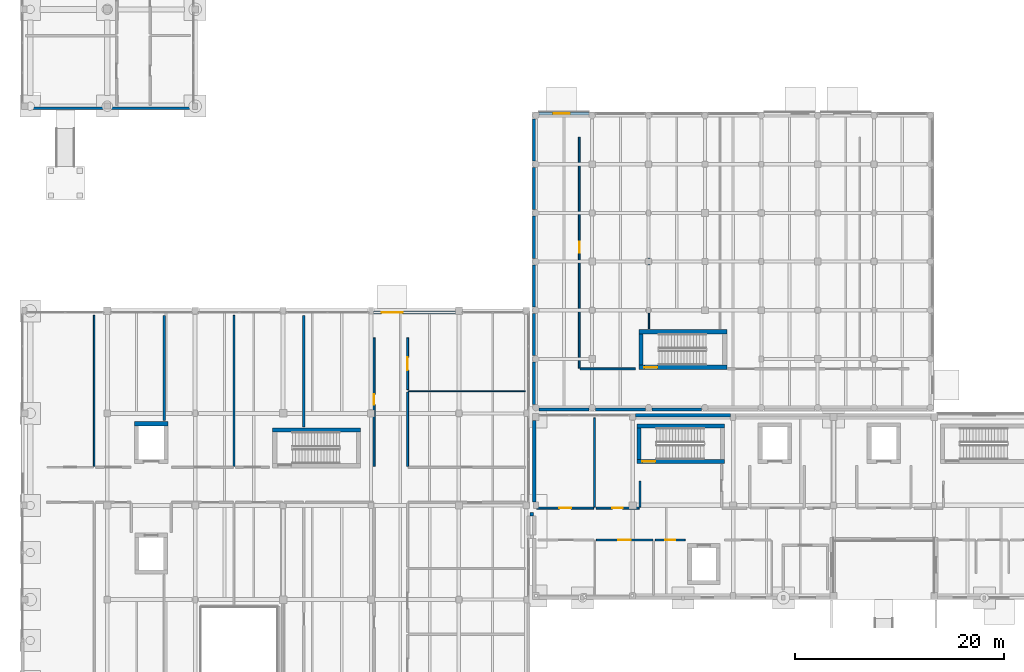
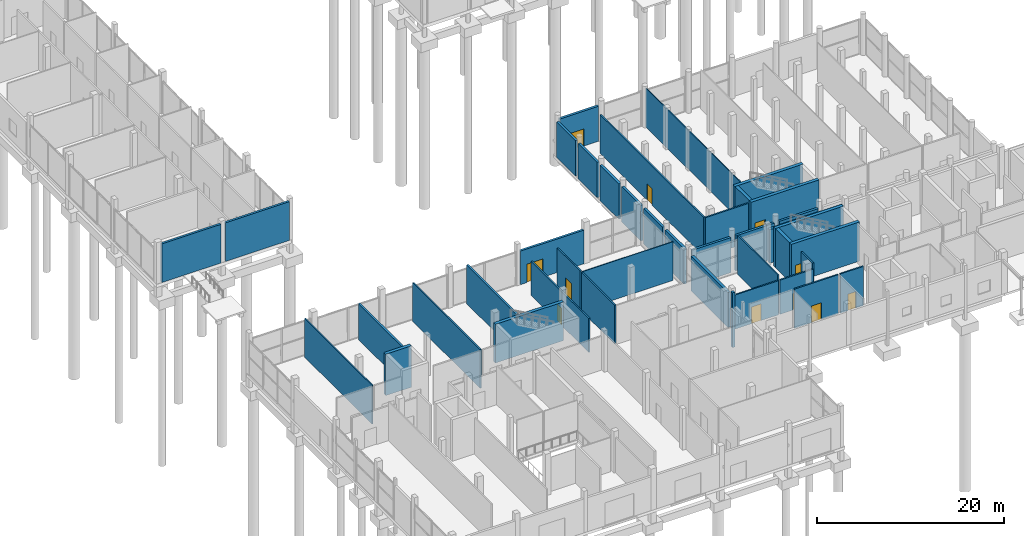
# One storey, part 58 of 88: 41 walls, 11 doors, 11 openings.
"""IFC4 building model written with IfcOpenShell, lengths in metres."""

from ifc_helpers import new_model, si_unit, direction, frame, frame_2d, origin, place, context, subcontext, project, spatial, rectangle, extrude, material, layer, layer_set, type_object, element, fill, save


model = new_model("IFC4")

# Units and contexts
model_context = context("Model", 3, precision=1e-05, world=origin(), true_north=direction((0.0, 1.0)))
body_context = subcontext(model_context, "Body", "Model", "MODEL_VIEW")
ifc_project = project(units=[si_unit("LENGTHUNIT", "METRE"), si_unit("AREAUNIT", "SQUARE_METRE"), si_unit("VOLUMEUNIT", "CUBIC_METRE"), si_unit("PLANEANGLEUNIT", "RADIAN"), si_unit("MASSUNIT", "GRAM", prefix="KILO")], contexts=[model_context])

# Site, building, storey
site_placement = place(None, origin())
site = spatial("IfcSite", under=ifc_project, at=site_placement, CompositionType="ELEMENT")
building_placement = place(site_placement, origin())
building = spatial("IfcBuilding", under=site, at=building_placement, Name="Birchvale Park Specialist Clinic", CompositionType="ELEMENT")
storey_placement = place(building_placement, origin())
storey = spatial("IfcBuildingStorey", under=building, at=storey_placement, Name="L00", CompositionType="ELEMENT", Elevation=0.0)

# Wall, opening, door
ifc_material_1 = material(Name="Concrete C40/50", Category="concrete")
ifc_layer_1 = layer(ifc_material_1, 0.39990234375)
ifc_layer_set_1 = layer_set([ifc_layer_1], Name="Concrete C40/50")
wall_type_1 = type_object("IfcWallType", Name="WL-CW-120", PredefinedType="SHEAR", material=ifc_layer_set_1)
wall_1_placement = place(storey_placement, frame((62.0, 39.0, 0.0), z_axis=(0.0, 0.0, 1.0), x_axis=(1.0, 0.0, 0.0)))
wall_1 = element("IfcWall", 1, at=wall_1_placement, inside=storey, type_object=wall_type_1, Name="L00 stair ST1 EI 120 enclosure wall (south)", PredefinedType="SHEAR", context=body_context, shape_type="SweptSolid", body=[
    extrude(rectangle(XDim=8.39990234375, YDim=0.39990234375, at=frame_2d((4.199951171875, 0.0))), origin(), (0.0, 0.0, 1.0), 5.080078125),
])
opening_1_placement = place(wall_1_placement, frame((0.52001953125, 0.0, 0.0)))
opening_1 = element("IfcOpeningElement", 2, at=opening_1_placement, cuts=wall_1, Name="Opening ID-FD60", PredefinedType="OPENING", context=body_context, shape_type="SweptSolid", body=[
    extrude(rectangle(XDim=1.25, YDim=2.199951171875, at=frame_2d((0.625, 1.10009765625))), frame((0.0, 0.2099609375, 0.0), z_axis=(0.0, -1.0, 0.0), x_axis=(1.0, 0.0, 0.0)), (0.0, 0.0, 1.0), 0.419921875),
])
ifc_material_2 = material(Name="Solid-core birch veneer and anodised aluminium", Category="aluminium")
door_type_1 = type_object("IfcDoorType", Name="DR-ID-FD60", OperationType="NOTDEFINED", PredefinedType="DOOR", material=ifc_material_2)
door_1_placement = place(opening_1_placement, origin())
door_1 = element("IfcDoor", 3, at=door_1_placement, inside=storey, type_object=door_type_1, Name="L00 stair ST1 fire door", OperationType="SINGLE_SWING_LEFT", OverallHeight=2.199951171875, OverallWidth=1.25, PredefinedType="DOOR", context=body_context, shape_type="SweptSolid", body=[
    extrude(rectangle(XDim=1.25, YDim=2.199951171875, at=frame_2d((0.625, 1.10009765625))), frame((0.0, 0.02490234375, 0.0), z_axis=(0.0, -1.0, 0.0), x_axis=(1.0, 0.0, 0.0)), (0.0, 0.0, 1.0), 0.050048828125),
])
fill(opening_1, door_1)

# Walls
wall_2_placement = place(storey_placement, frame((70.39990234375, 42.39990234375, 0.0), z_axis=(0.0, 0.0, 1.0), x_axis=(-1.0, 0.0, 0.0)))
element("IfcWall", 4, at=wall_2_placement, inside=storey, type_object=wall_type_1, Name="L00 stair ST1 EI 120 enclosure wall (north)", PredefinedType="SHEAR", context=body_context, shape_type="SweptSolid", body=[
    extrude(rectangle(XDim=8.39990234375, YDim=0.39990234375, at=frame_2d((4.199951171875, 0.0))), origin(), (0.0, 0.0, 1.0), 5.080078125),
])
wall_3_placement = place(storey_placement, frame((62.199951171875, 39.199951171875, 0.0), z_axis=(0.0, 0.0, 1.0), x_axis=(0.0, 1.0, 0.0)))
element("IfcWall", 5, at=wall_3_placement, inside=storey, type_object=wall_type_1, Name="L00 stair ST1 EI 120 enclosure wall (west)", PredefinedType="SHEAR", context=body_context, shape_type="SweptSolid", body=[
    extrude(rectangle(XDim=3.0, YDim=0.39990234375, at=frame_2d((1.5, 0.0))), origin(), (0.0, 0.0, 1.0), 5.080078125),
])
wall_4_placement = place(storey_placement, frame((35.39990234375, 33.0, 0.0), z_axis=(0.0, 0.0, 1.0), x_axis=(-1.0, 0.0, 0.0)))
element("IfcWall", 6, at=wall_4_placement, inside=storey, type_object=wall_type_1, Name="L00 stair ST2 EI 120 enclosure wall (north)", PredefinedType="SHEAR", context=body_context, shape_type="SweptSolid", body=[
    extrude(rectangle(XDim=8.39990234375, YDim=0.39990234375, at=frame_2d((4.199951171875, 0.0))), origin(), (0.0, 0.0, 1.0), 5.050048828125),
])

# Wall, opening, door
wall_5_placement = place(storey_placement, frame((61.800048828125, 30.0, 0.0), z_axis=(0.0, 0.0, 1.0), x_axis=(1.0, 0.0, 0.0)))
wall_5 = element("IfcWall", 7, at=wall_5_placement, inside=storey, type_object=wall_type_1, Name="L00 stair ST4 EI 120 enclosure wall (south)", PredefinedType="SHEAR", context=body_context, shape_type="SweptSolid", body=[
    extrude(rectangle(XDim=8.39990234375, YDim=0.39990234375, at=frame_2d((4.199951171875, 0.0))), origin(), (0.0, 0.0, 1.0), 5.1201171875),
])
opening_2_placement = place(wall_5_placement, frame((0.52001953125, 0.0, 0.0)))
opening_2 = element("IfcOpeningElement", 8, at=opening_2_placement, cuts=wall_5, Name="Opening ID-FD60", PredefinedType="OPENING", context=body_context, shape_type="SweptSolid", body=[
    extrude(rectangle(XDim=1.25, YDim=2.199951171875, at=frame_2d((0.625, 1.10009765625))), frame((0.0, 0.2099609375, 0.0), z_axis=(0.0, -1.0, 0.0), x_axis=(1.0, 0.0, 0.0)), (0.0, 0.0, 1.0), 0.419921875),
])
door_2_placement = place(opening_2_placement, origin())
door_2 = element("IfcDoor", 9, at=door_2_placement, inside=storey, type_object=door_type_1, Name="L00 stair ST4 fire door", OperationType="SINGLE_SWING_LEFT", OverallHeight=2.199951171875, OverallWidth=1.25, PredefinedType="DOOR", context=body_context, shape_type="SweptSolid", body=[
    extrude(rectangle(XDim=1.25, YDim=2.199951171875, at=frame_2d((0.625, 1.10009765625))), frame((0.0, 0.02490234375, 0.0), z_axis=(0.0, -1.0, 0.0), x_axis=(1.0, 0.0, 0.0)), (0.0, 0.0, 1.0), 0.050048828125),
])
fill(opening_2, door_2)

# Walls
wall_6_placement = place(storey_placement, frame((70.199951171875, 33.39990234375, 0.0), z_axis=(0.0, 0.0, 1.0), x_axis=(-1.0, 0.0, 0.0)))
element("IfcWall", 10, at=wall_6_placement, inside=storey, type_object=wall_type_1, Name="L00 stair ST4 EI 120 enclosure wall (north)", PredefinedType="SHEAR", context=body_context, shape_type="SweptSolid", body=[
    extrude(rectangle(XDim=8.39990234375, YDim=0.39990234375, at=frame_2d((4.199951171875, 0.0))), origin(), (0.0, 0.0, 1.0), 5.1201171875),
])
wall_7_placement = place(storey_placement, frame((62.0, 30.199951171875, 0.0), z_axis=(0.0, 0.0, 1.0), x_axis=(0.0, 1.0, 0.0)))
element("IfcWall", 11, at=wall_7_placement, inside=storey, type_object=wall_type_1, Name="L00 stair ST4 EI 120 enclosure wall (west)", PredefinedType="SHEAR", context=body_context, shape_type="SweptSolid", body=[
    extrude(rectangle(XDim=3.0, YDim=0.39990234375, at=frame_2d((1.5, 0.0))), origin(), (0.0, 0.0, 1.0), 5.1201171875),
])
wall_8_placement = place(storey_placement, frame((17.0, 33.60009765625, 0.0), z_axis=(0.0, 0.0, 1.0), x_axis=(-1.0, 0.0, 0.0)))
element("IfcWall", 12, at=wall_8_placement, inside=storey, type_object=wall_type_1, Name="L00 lift LS1 shaft wall (north)", PredefinedType="SHEAR", context=body_context, shape_type="SweptSolid", body=[
    extrude(rectangle(XDim=3.199951171875, YDim=0.39990234375, at=frame_2d((1.60009765625, 0.0))), origin(), (0.0, 0.0, 1.0), 5.39990234375),
])
ifc_material_3 = material(Name="Lime-white mineral-rendered insulated masonry", Category="masonry")
ifc_layer_2 = layer(ifc_material_3, 0.340087890625)
ifc_layer_set_2 = layer_set([ifc_layer_2], Name="Lime-white mineral-rendered insulated masonry")
wall_type_2 = type_object("IfcWallType", Name="WL-EW-01", PredefinedType="STANDARD", material=ifc_layer_set_2)
wall_9_placement = place(storey_placement, frame((70.77001953125, 34.409912109375, 0.0), z_axis=(0.0, 0.0, 1.0), x_axis=(-1.0, 0.0, 0.0)))
element("IfcWall", 13, at=wall_9_placement, inside=storey, type_object=wall_type_2, Name="V4 L00 exterior facade wall 85", PredefinedType="STANDARD", context=body_context, shape_type="SweptSolid", body=[
    extrude(rectangle(XDim=9.0849609375, YDim=0.340087890625, at=frame_2d((4.54248046875, 0.0))), origin(), (0.0, 0.0, 1.0), 4.385009765625),
])
wall_10_placement = place(storey_placement, frame((51.989990234375, 33.93994140625, 0.0), z_axis=(0.0, 0.0, 1.0), x_axis=(0.0, -1.0, 0.0)))
element("IfcWall", 14, at=wall_10_placement, inside=storey, type_object=wall_type_2, Name="V4 L00 exterior facade wall 86", PredefinedType="STANDARD", context=body_context, shape_type="SweptSolid", body=[
    extrude(rectangle(XDim=7.829833984375, YDim=0.340087890625, at=frame_2d((3.9150390625, 0.0))), origin(), (0.0, 0.0, 1.0), 4.56494140625),
])
ifc_layer_3 = layer(ifc_material_3, 0.2900390625)
ifc_layer_set_3 = layer_set([ifc_layer_3], Name="Lime-white mineral-rendered insulated masonry")
wall_type_3 = type_object("IfcWallType", Name="WL-EW-03", PredefinedType="STANDARD", material=ifc_layer_set_3)
for number, where, z_axis, x_axis, name in (
    (15, (52.455078125, 34.965087890625, 0.0), (0.0, 0.0, 1.0), (1.0, 0.0, 0.0), "V1 L00 exterior facade wall 17"),
    (16, (57.8408203125, 34.965087890625, 0.0), (0.0, 0.0, 1.0), (1.0, 0.0, 0.0), "V1 L00 exterior facade wall 18"),
):
    element("IfcWall", number, at=place(storey_placement, frame(where, z_axis=z_axis, x_axis=x_axis)), inside=storey, type_object=wall_type_3, Name=name, PredefinedType="STANDARD", context=body_context, shape_type="SweptSolid", body=[
        extrude(rectangle(XDim=4.775634765625, YDim=0.2900390625, at=frame_2d((2.3876953125, 0.0))), origin(), (0.0, 0.0, 1.0), 4.574951171875),
    ])
wall_11_placement = place(storey_placement, frame((63.226318359375, 34.965087890625, 0.0), z_axis=(0.0, 0.0, 1.0), x_axis=(1.0, 0.0, 0.0)))
element("IfcWall", 17, at=wall_11_placement, inside=storey, type_object=wall_type_3, Name="V1 L00 exterior facade wall 19", PredefinedType="STANDARD", context=body_context, shape_type="SweptSolid", body=[
    extrude(rectangle(XDim=4.77587890625, YDim=0.2900390625, at=frame_2d((2.387939453125, 0.0))), origin(), (0.0, 0.0, 1.0), 4.574951171875),
])

# Wall, opening, door
wall_12_placement = place(storey_placement, frame((57.230712890625, 63.235107421875, 0.0), z_axis=(0.0, 0.0, 1.0), x_axis=(-1.0, 0.0, 0.0)))
wall_12 = element("IfcWall", 18, at=wall_12_placement, inside=storey, type_object=wall_type_3, Name="V1 L00 exterior facade wall 27", PredefinedType="STANDARD", context=body_context, shape_type="SweptSolid", body=[
    extrude(rectangle(XDim=4.775634765625, YDim=0.2900390625, at=frame_2d((2.3876953125, 0.0))), origin(), (0.0, 0.0, 1.0), 4.574951171875),
])
opening_3_placement = place(wall_12_placement, frame((1.830810546875, 0.0, 0.0)))
opening_3 = element("IfcOpeningElement", 19, at=opening_3_placement, cuts=wall_12, Name="Opening ED-04", PredefinedType="OPENING", context=body_context, shape_type="SweptSolid", body=[
    extrude(rectangle(XDim=1.60009765625, YDim=2.25, at=frame_2d((0.800048828125, 1.125))), frame((0.0, 0.155029296875, 0.0), z_axis=(0.0, -1.0, 0.0), x_axis=(1.0, 0.0, 0.0)), (0.0, 0.0, 1.0), 0.31005859375),
])
ifc_material_4 = material(Name="Powder-coated aluminium and laminated safety glass", Category="aluminium")
door_type_2 = type_object("IfcDoorType", Name="DR-ED-04", OperationType="DOUBLE_DOOR_SINGLE_SWING", PredefinedType="DOOR", material=ifc_material_4)
door_3_placement = place(opening_3_placement, frame((1.60009765625, 0.0, 0.0), z_axis=(0.0, 0.0, 1.0), x_axis=(-1.0, 0.0, 0.0)))
door_3 = element("IfcDoor", 20, at=door_3_placement, inside=storey, type_object=door_type_2, Name="L00 V1 final exit double door 4", OperationType="DOUBLE_DOOR_SINGLE_SWING", OverallHeight=2.25, OverallWidth=1.60009765625, PredefinedType="DOOR", context=body_context, shape_type="SweptSolid", body=[
    extrude(rectangle(XDim=1.60009765625, YDim=2.25, at=frame_2d((0.800048828125, 1.125))), frame((0.0, 0.02490234375, 0.0), z_axis=(0.0, -1.0, 0.0), x_axis=(1.0, 0.0, 0.0)), (0.0, 0.0, 1.0), 0.050048828125),
])
fill(opening_3, door_3)

# Walls
for number, where, z_axis, x_axis, name in (
    (21, (51.965087890625, 62.7451171875, 0.0), (0.0, 0.0, 1.0), (0.0, -1.0, 0.0), "V1 L00 exterior facade wall 28"),
    (22, (51.965087890625, 58.094970703125, 0.0), (0.0, 0.0, 1.0), (0.0, -1.0, 0.0), "V1 L00 exterior facade wall 29"),
    (23, (51.965087890625, 53.445068359375, 0.0), (0.0, 0.0, 1.0), (0.0, -1.0, 0.0), "V1 L00 exterior facade wall 30"),
    (24, (51.965087890625, 48.794921875, 0.0), (0.0, 0.0, 1.0), (0.0, -1.0, 0.0), "V1 L00 exterior facade wall 31"),
    (25, (51.965087890625, 44.14501953125, 0.0), (0.0, 0.0, 1.0), (0.0, -1.0, 0.0), "V1 L00 exterior facade wall 32"),
    (26, (51.965087890625, 39.4951171875, 0.0), (0.0, 0.0, 1.0), (0.0, -1.0, 0.0), "V1 L00 exterior facade wall 33"),
):
    element("IfcWall", number, at=place(storey_placement, frame(where, z_axis=z_axis, x_axis=x_axis)), inside=storey, type_object=wall_type_3, Name=name, PredefinedType="STANDARD", context=body_context, shape_type="SweptSolid", body=[
        extrude(rectangle(XDim=4.0400390625, YDim=0.2900390625, at=frame_2d((2.02001953125, 0.0))), origin(), (0.0, 0.0, 1.0), 4.625),
    ])

# Wall, opening, door
ifc_layer_4 = layer(ifc_material_3, 0.27001953125)
ifc_layer_set_4 = layer_set([ifc_layer_4], Name="Lime-white mineral-rendered insulated masonry")
wall_type_4 = type_object("IfcWallType", Name="WL-EW-04", PredefinedType="STANDARD", material=ifc_layer_set_4)
wall_13_placement = place(storey_placement, frame((44.455078125, 44.2451171875, 0.0), z_axis=(0.0, 0.0, 1.0), x_axis=(-1.0, 0.0, 0.0)))
wall_13 = element("IfcWall", 27, at=wall_13_placement, inside=storey, type_object=wall_type_4, Name="V2 L00 exterior facade wall 42", PredefinedType="STANDARD", context=body_context, shape_type="SweptSolid", body=[
    extrude(rectangle(XDim=7.8349609375, YDim=0.27001953125, at=frame_2d((3.91748046875, 0.0))), origin(), (0.0, 0.0, 1.0), 4.385009765625),
])
opening_4_placement = place(wall_13_placement, frame((5.044921875, 0.0, 0.0)))
opening_4 = element("IfcOpeningElement", 28, at=opening_4_placement, cuts=wall_13, Name="Opening ED-02", PredefinedType="OPENING", context=body_context, shape_type="SweptSolid", body=[
    extrude(rectangle(XDim=2.0, YDim=2.39990234375, at=frame_2d((1.0, 1.199951171875))), frame((0.0, 0.14501953125, 0.0), z_axis=(0.0, -1.0, 0.0), x_axis=(1.0, 0.0, 0.0)), (0.0, 0.0, 1.0), 0.2900390625),
])
door_type_3 = type_object("IfcDoorType", Name="DR-ED-02", OperationType="DOUBLE_DOOR_SINGLE_SWING", PredefinedType="DOOR", material=ifc_material_4)
door_4_placement = place(opening_4_placement, frame((2.0, 0.0, 0.0), z_axis=(0.0, 0.0, 1.0), x_axis=(-1.0, 0.0, 0.0)))
door_4 = element("IfcDoor", 29, at=door_4_placement, inside=storey, type_object=door_type_3, Name="L00 V2 final exit double door 11", OperationType="DOUBLE_DOOR_SINGLE_SWING", OverallHeight=2.39990234375, OverallWidth=2.0, PredefinedType="DOOR", context=body_context, shape_type="SweptSolid", body=[
    extrude(rectangle(XDim=2.0, YDim=2.39990234375, at=frame_2d((1.0, 1.199951171875))), frame((0.0, 0.02490234375, 0.0), z_axis=(0.0, -1.0, 0.0), x_axis=(1.0, 0.0, 0.0)), (0.0, 0.0, 1.0), 0.050048828125),
])
fill(opening_4, door_4)

# Walls
wall_14_placement = place(storey_placement, frame((3.610107421875, 63.7548828125, 0.0), z_axis=(0.0, 0.0, 1.0), x_axis=(1.0, 0.0, 0.0)))
element("IfcWall", 30, at=wall_14_placement, inside=storey, type_object=wall_type_4, Name="V2 L00 exterior facade wall 45", PredefinedType="STANDARD", context=body_context, shape_type="SweptSolid", body=[
    extrude(rectangle(XDim=7.304931640625, YDim=0.27001953125, at=frame_2d((3.65234375, 0.0))), origin(), (0.0, 0.0, 1.0), 5.050048828125),
])
wall_15_placement = place(storey_placement, frame((11.485107421875, 63.7548828125, 0.0), z_axis=(0.0, 0.0, 1.0), x_axis=(1.0, 0.0, 0.0)))
element("IfcWall", 31, at=wall_15_placement, inside=storey, type_object=wall_type_4, Name="V2 L00 exterior facade wall 46", PredefinedType="STANDARD", context=body_context, shape_type="SweptSolid", body=[
    extrude(rectangle(XDim=7.885009765625, YDim=0.27001953125, at=frame_2d((3.9423828125, 0.0))), origin(), (0.0, 0.0, 1.0), 5.050048828125),
])
ifc_material_5 = material(Name="Acoustic gypsum board on metal framing")
ifc_layer_5 = layer(ifc_material_5, 0.1650390625)
ifc_layer_set_5 = layer_set([ifc_layer_5], Name="Acoustic gypsum board on metal framing")
wall_type_5 = type_object("IfcWallType", Name="WL-IW-01", PredefinedType="PARTITIONING", material=ifc_layer_set_5)
wall_16_placement = place(storey_placement, frame((23.303955078125, 43.9599609375, 0.0), z_axis=(0.0, 0.0, 1.0), x_axis=(0.0, -1.0, 0.0)))
element("IfcWall", 32, at=wall_16_placement, inside=storey, type_object=wall_type_5, Name="V2 L00 clinical partition 110", PredefinedType="PARTITIONING", context=body_context, shape_type="SweptSolid", body=[
    extrude(rectangle(XDim=14.429931640625, YDim=0.1650390625, at=frame_2d((7.21484375, 0.0))), origin(), (0.0, 0.0, 1.0), 5.050048828125),
])
ifc_layer_6 = layer(ifc_material_5, 0.14990234375)
ifc_layer_set_6 = layer_set([ifc_layer_6], Name="Acoustic gypsum board on metal framing")
wall_type_6 = type_object("IfcWallType", Name="WL-IW-02", PredefinedType="PARTITIONING", material=ifc_layer_set_6)
wall_17_placement = place(storey_placement, frame((57.751953125, 34.159912109375, 0.0), z_axis=(0.0, 0.0, 1.0), x_axis=(0.0, -1.0, 0.0)))
element("IfcWall", 33, at=wall_17_placement, inside=storey, type_object=wall_type_6, Name="V4 L00 clinical partition 193", PredefinedType="PARTITIONING", context=body_context, shape_type="SweptSolid", body=[
    extrude(rectangle(XDim=8.530029296875, YDim=0.14990234375, at=frame_2d((4.26513671875, 0.0))), origin(), (0.0, 0.0, 1.0), 5.1201171875),
])
ifc_layer_7 = layer(ifc_material_5, 0.139892578125)
ifc_layer_set_7 = layer_set([ifc_layer_7], Name="Acoustic gypsum board on metal framing")
wall_type_7 = type_object("IfcWallType", Name="WL-IW-03", PredefinedType="PARTITIONING", material=ifc_layer_set_7)
wall_18_placement = place(storey_placement, frame((9.947998046875, 43.9599609375, 0.0), z_axis=(0.0, 0.0, 1.0), x_axis=(0.0, -1.0, 0.0)))
element("IfcWall", 34, at=wall_18_placement, inside=storey, type_object=wall_type_7, Name="V2 L00 clinical partition 106", PredefinedType="PARTITIONING", context=body_context, shape_type="SweptSolid", body=[
    extrude(rectangle(XDim=14.429931640625, YDim=0.139892578125, at=frame_2d((7.21484375, 0.0))), origin(), (0.0, 0.0, 1.0), 5.050048828125),
])
ifc_layer_8 = layer(ifc_material_5, 0.114990234375)
ifc_layer_set_8 = layer_set([ifc_layer_8], Name="Acoustic gypsum board on metal framing")
wall_type_8 = type_object("IfcWallType", Name="WL-IW-05", PredefinedType="PARTITIONING", material=ifc_layer_set_8)
wall_19_placement = place(storey_placement, frame((62.968017578125, 62.9599609375, 0.0), z_axis=(0.0, 0.0, 1.0), x_axis=(0.0, -1.0, 0.0)))
element("IfcWall", 35, at=wall_19_placement, inside=storey, type_object=wall_type_8, Name="V1 L00 clinical partition 70", PredefinedType="PARTITIONING", context=body_context, shape_type="SweptSolid", body=[
    extrude(rectangle(XDim=20.260009765625, YDim=0.114990234375, at=frame_2d((10.1298828125, 0.0))), origin(), (0.0, 0.0, 1.0), 5.080078125),
])
ifc_layer_9 = layer(ifc_material_5, 0.10009765625)
ifc_layer_set_9 = layer_set([ifc_layer_9], Name="Acoustic gypsum board on metal framing")
wall_type_9 = type_object("IfcWallType", Name="WL-IW-06", PredefinedType="PARTITIONING", material=ifc_layer_set_9)
wall_20_placement = place(storey_placement, frame((39.97998046875, 36.705078125, 0.0), z_axis=(0.0, 0.0, 1.0), x_axis=(1.0, 0.0, 0.0)))
element("IfcWall", 36, at=wall_20_placement, inside=storey, type_object=wall_type_9, Name="V2 L00 clinical partition 115", PredefinedType="PARTITIONING", context=body_context, shape_type="SweptSolid", body=[
    extrude(rectangle(XDim=11.179931640625, YDim=0.10009765625, at=frame_2d((5.58984375, 0.0))), origin(), (0.0, 0.0, 1.0), 5.050048828125),
])
ifc_layer_10 = layer(ifc_material_5, 0.239990234375)
ifc_layer_set_10 = layer_set([ifc_layer_10], Name="Acoustic gypsum board on metal framing")
wall_type_10 = type_object("IfcWallType", Name="WL-IW-08", PredefinedType="PARTITIONING", material=ifc_layer_set_10)
wall_21_placement = place(storey_placement, frame((16.6259765625, 43.9599609375, 0.0), z_axis=(0.0, 0.0, 1.0), x_axis=(0.0, -1.0, 0.0)))
element("IfcWall", 37, at=wall_21_placement, inside=storey, type_object=wall_type_10, Name="V2 L00 clinical partition 108", PredefinedType="PARTITIONING", context=body_context, shape_type="SweptSolid", body=[
    extrude(rectangle(XDim=10.06005859375, YDim=0.239990234375, at=frame_2d((5.030029296875, 0.0))), origin(), (0.0, 0.0, 1.0), 4.68408203125),
])
wall_22_placement = place(storey_placement, frame((29.98193359375, 43.9599609375, 0.0), z_axis=(0.0, 0.0, 1.0), x_axis=(0.0, -1.0, 0.0)))
element("IfcWall", 38, at=wall_22_placement, inside=storey, type_object=wall_type_10, Name="V2 L00 clinical partition 112", PredefinedType="PARTITIONING", context=body_context, shape_type="SweptSolid", body=[
    extrude(rectangle(XDim=10.659912109375, YDim=0.239990234375, at=frame_2d((5.330078125, 0.0))), origin(), (0.0, 0.0, 1.0), 5.050048828125),
])
ifc_layer_11 = layer(ifc_material_5, 0.179931640625)
ifc_layer_set_11 = layer_set([ifc_layer_11], Name="Acoustic gypsum board on metal framing")
wall_type_11 = type_object("IfcWallType", Name="WL-IW-60", PredefinedType="PARTITIONING", material=ifc_layer_set_11)
wall_23_placement = place(storey_placement, frame((61.6650390625, 38.85009765625, 0.0), z_axis=(0.0, 0.0, 1.0), x_axis=(-1.0, 0.0, 0.0)))
element("IfcWall", 39, at=wall_23_placement, inside=storey, type_object=wall_type_11, Name="V1 L00 clinical partition 68", PredefinedType="PARTITIONING", context=body_context, shape_type="SweptSolid", body=[
    extrude(rectangle(XDim=5.28515625, YDim=0.179931640625, at=frame_2d((2.642578125, 0.0))), origin(), (0.0, 0.0, 1.0), 5.080078125),
])

# Wall, opening, door
wall_24_placement = place(storey_placement, frame((56.300048828125, 38.929931640625, 0.0), z_axis=(0.0, 0.0, 1.0), x_axis=(0.0, 1.0, 0.0)))
wall_24 = element("IfcWall", 40, at=wall_24_placement, inside=storey, type_object=wall_type_11, Name="V1 L00 clinical partition 69", PredefinedType="PARTITIONING", context=body_context, shape_type="SweptSolid", body=[
    extrude(rectangle(XDim=22.074951171875, YDim=0.179931640625, at=frame_2d((11.03759765625, 0.0))), origin(), (0.0, 0.0, 1.0), 5.080078125),
])
opening_5_placement = place(wall_24_placement, frame((11.017578125, 0.0, 0.0)))
opening_5 = element("IfcOpeningElement", 41, at=opening_5_placement, cuts=wall_24, Name="Opening ID-02", PredefinedType="OPENING", context=body_context, shape_type="SweptSolid", body=[
    extrude(rectangle(XDim=1.0400390625, YDim=2.14990234375, at=frame_2d((0.52001953125, 1.074951171875))), frame((0.0, 0.10009765625, 0.0), z_axis=(0.0, -1.0, 0.0), x_axis=(1.0, 0.0, 0.0)), (0.0, 0.0, 1.0), 0.199951171875),
])
door_type_4 = type_object("IfcDoorType", Name="DR-ID-02", OperationType="NOTDEFINED", PredefinedType="DOOR", material=ifc_material_2)
door_5_placement = place(opening_5_placement, origin())
door_5 = element("IfcDoor", 42, at=door_5_placement, inside=storey, type_object=door_type_4, Name="L00 Daylight Physical Rehabilitation Studio door", OperationType="SINGLE_SWING_LEFT", OverallHeight=2.14990234375, OverallWidth=1.0400390625, PredefinedType="DOOR", context=body_context, shape_type="SweptSolid", body=[
    extrude(rectangle(XDim=1.0400390625, YDim=2.14990234375, at=frame_2d((0.52001953125, 1.074951171875))), frame((0.0, 0.02490234375, 0.0), z_axis=(0.0, -1.0, 0.0), x_axis=(1.0, 0.0, 0.0)), (0.0, 0.0, 1.0), 0.050048828125),
])
fill(opening_5, door_5)

wall_25_placement = place(storey_placement, frame((36.699951171875, 41.81494140625, 0.0), z_axis=(0.0, 0.0, 1.0), x_axis=(0.0, -1.0, 0.0)))
wall_25 = element("IfcWall", 43, at=wall_25_placement, inside=storey, type_object=wall_type_11, Name="V2 L00 clinical partition 113", PredefinedType="PARTITIONING", context=body_context, shape_type="SweptSolid", body=[
    extrude(rectangle(XDim=12.284912109375, YDim=0.179931640625, at=frame_2d((6.142578125, 0.0))), origin(), (0.0, 0.0, 1.0), 4.43505859375),
])
opening_6_placement = place(wall_25_placement, frame((5.37255859375, 0.0, 0.0)))
opening_6 = element("IfcOpeningElement", 44, at=opening_6_placement, cuts=wall_25, Name="Opening ID-02", PredefinedType="OPENING", context=body_context, shape_type="SweptSolid", body=[
    extrude(rectangle(XDim=1.0400390625, YDim=2.14990234375, at=frame_2d((0.52001953125, 1.074951171875))), frame((0.0, 0.10009765625, 0.0), z_axis=(0.0, -1.0, 0.0), x_axis=(1.0, 0.0, 0.0)), (0.0, 0.0, 1.0), 0.199951171875),
])
door_6_placement = place(opening_6_placement, origin())
door_6 = element("IfcDoor", 45, at=door_6_placement, inside=storey, type_object=door_type_4, Name="L00 Ultrasound Diagnostic Suite door", OperationType="SINGLE_SWING_LEFT", OverallHeight=2.14990234375, OverallWidth=1.0400390625, PredefinedType="DOOR", context=body_context, shape_type="SweptSolid", body=[
    extrude(rectangle(XDim=1.0400390625, YDim=2.14990234375, at=frame_2d((0.52001953125, 1.074951171875))), frame((0.0, 0.02490234375, 0.0), z_axis=(0.0, -1.0, 0.0), x_axis=(1.0, 0.0, 0.0)), (0.0, 0.0, 1.0), 0.050048828125),
])
fill(opening_6, door_6)

# Wall
wall_26_placement = place(storey_placement, frame((39.89990234375, 29.530029296875, 0.0), z_axis=(0.0, 0.0, 1.0), x_axis=(0.0, 1.0, 0.0)))
element("IfcWall", 46, at=wall_26_placement, inside=storey, type_object=wall_type_11, Name="V2 L00 clinical partition 114", PredefinedType="PARTITIONING", context=body_context, shape_type="SweptSolid", body=[
    extrude(rectangle(XDim=7.094970703125, YDim=0.179931640625, at=frame_2d((3.54736328125, 0.0))), origin(), (0.0, 0.0, 1.0), 5.050048828125),
])

# Wall, opening, door
wall_27_placement = place(storey_placement, frame((39.89990234375, 36.864990234375, 0.0), z_axis=(0.0, 0.0, 1.0), x_axis=(0.0, 1.0, 0.0)))
wall_27 = element("IfcWall", 47, at=wall_27_placement, inside=storey, type_object=wall_type_11, Name="V2 L00 clinical partition 117", PredefinedType="PARTITIONING", context=body_context, shape_type="SweptSolid", body=[
    extrude(rectangle(XDim=4.949951171875, YDim=0.179931640625, at=frame_2d((2.47509765625, 0.0))), origin(), (0.0, 0.0, 1.0), 5.050048828125),
])
opening_7_placement = place(wall_27_placement, frame((1.8349609375, 0.0, 0.0)))
opening_7 = element("IfcOpeningElement", 48, at=opening_7_placement, cuts=wall_27, Name="Opening ID-05", PredefinedType="OPENING", context=body_context, shape_type="SweptSolid", body=[
    extrude(rectangle(XDim=1.280029296875, YDim=2.25, at=frame_2d((0.64013671875, 1.125))), frame((0.0, 0.10009765625, 0.0), z_axis=(0.0, -1.0, 0.0), x_axis=(1.0, 0.0, 0.0)), (0.0, 0.0, 1.0), 0.199951171875),
])
door_type_5 = type_object("IfcDoorType", Name="DR-ID-05", OperationType="NOTDEFINED", PredefinedType="DOOR", material=ifc_material_2)
door_7_placement = place(opening_7_placement, origin())
door_7 = element("IfcDoor", 49, at=door_7_placement, inside=storey, type_object=door_type_5, Name="L00 Outpatient Waiting Lounge door", OperationType="SINGLE_SWING_LEFT", OverallHeight=2.25, OverallWidth=1.280029296875, PredefinedType="DOOR", context=body_context, shape_type="SweptSolid", body=[
    extrude(rectangle(XDim=1.280029296875, YDim=2.25, at=frame_2d((0.64013671875, 1.125))), frame((0.0, 0.02490234375, 0.0), z_axis=(0.0, -1.0, 0.0), x_axis=(1.0, 0.0, 0.0)), (0.0, 0.0, 1.0), 0.050048828125),
])
fill(opening_7, door_7)

wall_28_placement = place(storey_placement, frame((57.924072265625, 22.5, 0.0), z_axis=(0.0, 0.0, 1.0), x_axis=(1.0, 0.0, 0.0)))
wall_28 = element("IfcWall", 50, at=wall_28_placement, inside=storey, type_object=wall_type_11, Name="V4 L00 clinical partition 176", PredefinedType="PARTITIONING", context=body_context, shape_type="SweptSolid", body=[
    extrude(rectangle(XDim=5.40380859375, YDim=0.179931640625, at=frame_2d((2.701904296875, 0.0))), origin(), (0.0, 0.0, 1.0), 5.1201171875),
])
opening_8_placement = place(wall_28_placement, frame((2.112060546875, 0.0, 0.0)))
opening_8 = element("IfcOpeningElement", 51, at=opening_8_placement, cuts=wall_28, Name="Opening ID-ST60", PredefinedType="OPENING", context=body_context, shape_type="SweptSolid", body=[
    extrude(rectangle(XDim=1.179931640625, YDim=2.179931640625, at=frame_2d((0.58984375, 1.08984375))), frame((0.0, 0.10009765625, 0.0), z_axis=(0.0, -1.0, 0.0), x_axis=(1.0, 0.0, 0.0)), (0.0, 0.0, 1.0), 0.199951171875),
])
door_type_6 = type_object("IfcDoorType", Name="DR-ID-ST60", OperationType="NOTDEFINED", PredefinedType="DOOR", material=ifc_material_2)
door_8_placement = place(opening_8_placement, origin())
door_8 = element("IfcDoor", 52, at=door_8_placement, inside=storey, type_object=door_type_6, Name="L00 Outpatient Waiting Lounge door", OperationType="SINGLE_SWING_LEFT", OverallHeight=2.179931640625, OverallWidth=1.179931640625, PredefinedType="DOOR", context=body_context, shape_type="SweptSolid", body=[
    extrude(rectangle(XDim=1.179931640625, YDim=2.179931640625, at=frame_2d((0.58984375, 1.08984375))), frame((0.0, 0.02490234375, 0.0), z_axis=(0.0, -1.0, 0.0), x_axis=(1.0, 0.0, 0.0)), (0.0, 0.0, 1.0), 0.050048828125),
])
fill(opening_8, door_8)

wall_29_placement = place(storey_placement, frame((63.568115234375, 22.5, 0.0), z_axis=(0.0, 0.0, 1.0), x_axis=(1.0, 0.0, 0.0)))
wall_29 = element("IfcWall", 53, at=wall_29_placement, inside=storey, type_object=wall_type_11, Name="V4 L00 clinical partition 178", PredefinedType="PARTITIONING", context=body_context, shape_type="SweptSolid", body=[
    extrude(rectangle(XDim=2.851806640625, YDim=0.179931640625, at=frame_2d((1.42578125, 0.0))), origin(), (0.0, 0.0, 1.0), 5.1201171875),
])
opening_9_placement = place(wall_29_placement, frame((0.926025390625, 0.0, 0.0)))
opening_9 = element("IfcOpeningElement", 54, at=opening_9_placement, cuts=wall_29, Name="Opening ID-01", PredefinedType="OPENING", context=body_context, shape_type="SweptSolid", body=[
    extrude(rectangle(XDim=1.0, YDim=2.14990234375, at=frame_2d((0.5, 1.074951171875))), frame((0.0, 0.10009765625, 0.0), z_axis=(0.0, -1.0, 0.0), x_axis=(1.0, 0.0, 0.0)), (0.0, 0.0, 1.0), 0.199951171875),
])
door_type_7 = type_object("IfcDoorType", Name="DR-ID-01", OperationType="NOTDEFINED", PredefinedType="DOOR", material=ifc_material_2)
door_9_placement = place(opening_9_placement, origin())
door_9 = element("IfcDoor", 55, at=door_9_placement, inside=storey, type_object=door_type_7, Name="L00 Oncology Consultation Suite door", OperationType="SINGLE_SWING_RIGHT", OverallHeight=2.14990234375, OverallWidth=1.0, PredefinedType="DOOR", context=body_context, shape_type="SweptSolid", body=[
    extrude(rectangle(XDim=1.0, YDim=2.14990234375, at=frame_2d((0.5, 1.074951171875))), frame((0.0, 0.02490234375, 0.0), z_axis=(0.0, -1.0, 0.0), x_axis=(1.0, 0.0, 0.0)), (0.0, 0.0, 1.0), 0.050048828125),
])
fill(opening_9, door_9)

wall_30_placement = place(storey_placement, frame((57.672119140625, 25.550048828125, 0.0), z_axis=(0.0, 0.0, 1.0), x_axis=(-1.0, 0.0, 0.0)))
wall_30 = element("IfcWall", 56, at=wall_30_placement, inside=storey, type_object=wall_type_11, Name="V4 L00 clinical partition 192", PredefinedType="PARTITIONING", context=body_context, shape_type="SweptSolid", body=[
    extrude(rectangle(XDim=5.43212890625, YDim=0.179931640625, at=frame_2d((2.716064453125, 0.0))), origin(), (0.0, 0.0, 1.0), 4.455078125),
])
opening_10_placement = place(wall_30_placement, frame((2.1259765625, 0.0, 0.0)))
opening_10 = element("IfcOpeningElement", 57, at=opening_10_placement, cuts=wall_30, Name="Opening ID-ST60", PredefinedType="OPENING", context=body_context, shape_type="SweptSolid", body=[
    extrude(rectangle(XDim=1.179931640625, YDim=2.179931640625, at=frame_2d((0.58984375, 1.08984375))), frame((0.0, 0.10009765625, 0.0), z_axis=(0.0, -1.0, 0.0), x_axis=(1.0, 0.0, 0.0)), (0.0, 0.0, 1.0), 0.199951171875),
])
door_10_placement = place(opening_10_placement, origin())
door_10 = element("IfcDoor", 58, at=door_10_placement, inside=storey, type_object=door_type_6, Name="L00 Patient Reception Concourse door", OperationType="SINGLE_SWING_RIGHT", OverallHeight=2.179931640625, OverallWidth=1.179931640625, PredefinedType="DOOR", context=body_context, shape_type="SweptSolid", body=[
    extrude(rectangle(XDim=1.179931640625, YDim=2.179931640625, at=frame_2d((0.58984375, 1.08984375))), frame((0.0, 0.02490234375, 0.0), z_axis=(0.0, -1.0, 0.0), x_axis=(1.0, 0.0, 0.0)), (0.0, 0.0, 1.0), 0.050048828125),
])
fill(opening_10, door_10)

# Wall
wall_31_placement = place(storey_placement, frame((62.10009765625, 28.1201171875, 0.0), z_axis=(0.0, 0.0, 1.0), x_axis=(0.0, -1.0, 0.0)))
element("IfcWall", 59, at=wall_31_placement, inside=storey, type_object=wall_type_11, Name="V4 L00 clinical partition 194", PredefinedType="PARTITIONING", context=body_context, shape_type="SweptSolid", body=[
    extrude(rectangle(XDim=2.490234375, YDim=0.179931640625, at=frame_2d((1.2451171875, 0.0))), origin(), (0.0, 0.0, 1.0), 5.1201171875),
])

# Wall, opening, door
wall_32_placement = place(storey_placement, frame((62.02001953125, 25.550048828125, 0.0), z_axis=(0.0, 0.0, 1.0), x_axis=(-1.0, 0.0, 0.0)))
wall_32 = element("IfcWall", 60, at=wall_32_placement, inside=storey, type_object=wall_type_11, Name="V4 L00 clinical partition 195", PredefinedType="PARTITIONING", context=body_context, shape_type="SweptSolid", body=[
    extrude(rectangle(XDim=4.10791015625, YDim=0.179931640625, at=frame_2d((2.053955078125, 0.0))), origin(), (0.0, 0.0, 1.0), 4.455078125),
])
opening_11_placement = place(wall_32_placement, frame((1.553955078125, 0.0, 0.0)))
opening_11 = element("IfcOpeningElement", 61, at=opening_11_placement, cuts=wall_32, Name="Opening ID-01", PredefinedType="OPENING", context=body_context, shape_type="SweptSolid", body=[
    extrude(rectangle(XDim=1.0, YDim=2.14990234375, at=frame_2d((0.5, 1.074951171875))), frame((0.0, 0.10009765625, 0.0), z_axis=(0.0, -1.0, 0.0), x_axis=(1.0, 0.0, 0.0)), (0.0, 0.0, 1.0), 0.199951171875),
])
door_11_placement = place(opening_11_placement, origin())
door_11 = element("IfcDoor", 62, at=door_11_placement, inside=storey, type_object=door_type_7, Name="L00 Outpatient Waiting Lounge door", OperationType="SINGLE_SWING_LEFT", OverallHeight=2.14990234375, OverallWidth=1.0, PredefinedType="DOOR", context=body_context, shape_type="SweptSolid", body=[
    extrude(rectangle(XDim=1.0, YDim=2.14990234375, at=frame_2d((0.5, 1.074951171875))), frame((0.0, 0.02490234375, 0.0), z_axis=(0.0, -1.0, 0.0), x_axis=(1.0, 0.0, 0.0)), (0.0, 0.0, 1.0), 0.050048828125),
])
fill(opening_11, door_11)

# Wall
ifc_layer_12 = layer(ifc_material_1, 0.35009765625)
ifc_layer_set_12 = layer_set([ifc_layer_12], Name="Concrete C40/50")
wall_type_12 = type_object("IfcWallType", Name="WL-SW-350", PredefinedType="SHEAR", material=ifc_layer_set_12)
wall_33_placement = place(storey_placement, frame((51.610107421875, 24.949951171875, -1.75), z_axis=(0.0, 0.0, 1.0), x_axis=(1.0, 0.0, 0.0)))
element("IfcWall", 63, at=wall_33_placement, inside=storey, type_object=wall_type_12, Name="L00 seismic bridge support pier BRG-1 CRB N", PredefinedType="SHEAR", context=body_context, shape_type="SweptSolid", body=[
    extrude(rectangle(XDim=0.31982421875, YDim=0.35009765625, at=frame_2d((0.159912109375, 0.0))), origin(), (0.0, 0.0, 1.0), 7.14990234375),
])

save(model, "model.ifc")
